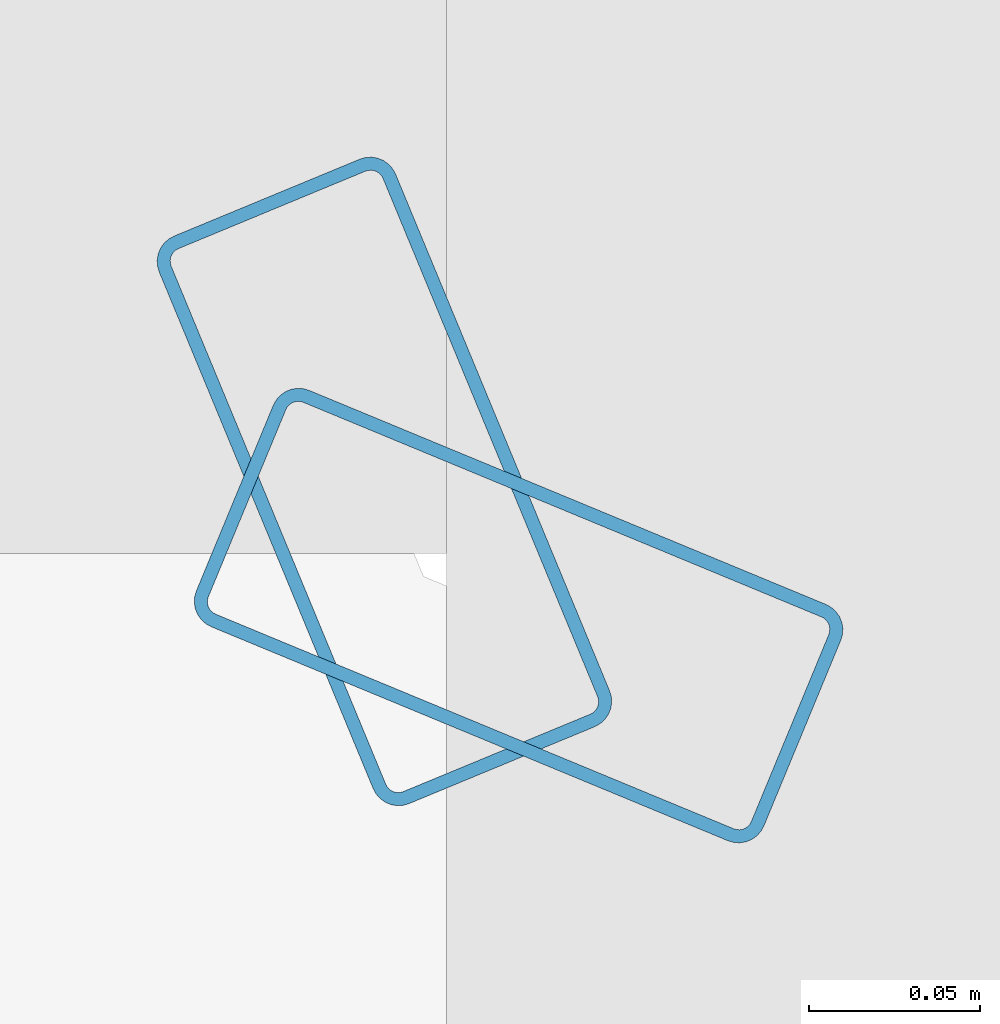
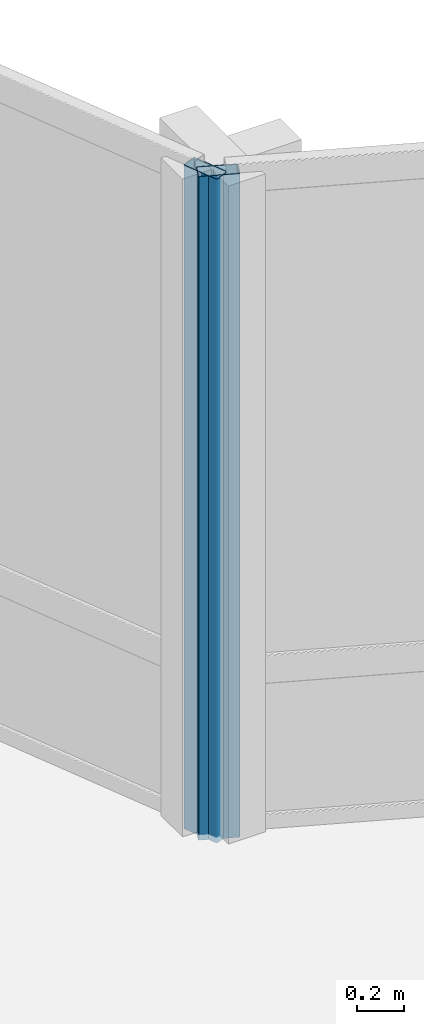
# One storey, part 8 of 34: 2 members, 2 elements without a shape of their own.
"""IFC4 building model written with IfcOpenShell, lengths in metres."""

from ifc_helpers import new_model, si_unit, direction, frame, origin, origin_2d, place, context, subcontext, project, spatial, hollow_rectangle, extrude, material, layer, layer_set, material_profile, profile_set, type_object, element, aggregate, save


model = new_model("IFC4")

# Units and contexts
model_context = context("Model", 3, precision=1e-05, world=origin(), true_north=direction((0.0, 1.0)))
body_context = subcontext(model_context, "Body", "Model", "MODEL_VIEW")
ifc_project = project(units=[si_unit("LENGTHUNIT", "METRE"), si_unit("AREAUNIT", "SQUARE_METRE"), si_unit("VOLUMEUNIT", "CUBIC_METRE"), si_unit("PLANEANGLEUNIT", "RADIAN"), si_unit("MASSUNIT", "GRAM", prefix="KILO")], contexts=[model_context])

# Site, building, storey
site_placement = place(None, origin())
site = spatial("IfcSite", under=ifc_project, at=site_placement, CompositionType="ELEMENT")
building_placement = place(site_placement, origin())
building = spatial("IfcBuilding", under=site, at=building_placement, Name="Solvaryn Broadcast Tower", CompositionType="ELEMENT")
storey_placement = place(building_placement, frame((0.0, 0.0, 65.60009765625)))
storey = spatial("IfcBuildingStorey", under=building, at=storey_placement, Name="L15", CompositionType="ELEMENT", Elevation=65.60009765625)

# Curtain wall, member
ifc_material_1 = material(Name="Aluminium and Terracotta Unitised Curtain Wall", Category="masonry")
ifc_layer = layer(ifc_material_1, 0.199951171875)
ifc_layer_set = layer_set([ifc_layer], Name="CW-SYS2-LOWMID")
curtain_wall_type = type_object("IfcCurtainWallType", Name="CW-SYS2-LOWMID", PredefinedType="NOTDEFINED", material=ifc_layer_set)
curtain_wall_1_placement = place(storey_placement, origin())
curtain_wall_1 = element("IfcCurtainWall", 1, at=curtain_wall_1_placement, inside=storey, type_object=curtain_wall_type, Name="L15 Curtain Wall CN1", PredefinedType="NOTDEFINED")
ifc_material_2 = material(Name="Anodised Aluminium 6063-T6", Category="aluminium")
ifc_material_profile = material_profile(ifc_material_2, hollow_rectangle(XDim=0.074951171875, YDim=0.179931640625, WallThickness=0.00390625, InnerFilletRadius=0.00390625, OuterFilletRadius=0.008056640625, at=origin_2d()))
ifc_profile_set = profile_set([ifc_material_profile], Name="Anodised Aluminium 6063-T6")
member_type = type_object("IfcMemberType", Name="CW-MUL-180", PredefinedType="MULLION", material=ifc_profile_set)
member_1_placement = place(storey_placement, frame((30.395751953125, 30.3564453125, 0.0), z_axis=(0.0, 0.0, 1.0), x_axis=(-0.382646127145, -0.923894983957, 0.0)))
member_1 = element("IfcMember", 2, at=member_1_placement, type_object=member_type, Name="CWS2 mullion 2", PredefinedType="MULLION", context=body_context, shape_type="SweptSolid", body=[
    extrude(hollow_rectangle(XDim=0.074951171875, YDim=0.179931640625, WallThickness=0.00390625, InnerFilletRadius=0.00390625, OuterFilletRadius=0.008056640625, at=origin_2d()), origin(), (0.0, 0.0, 1.0), 3.419921875),
])
aggregate(curtain_wall_1, [member_1])

curtain_wall_2_placement = place(storey_placement, origin())
curtain_wall_2 = element("IfcCurtainWall", 3, at=curtain_wall_2_placement, inside=storey, type_object=curtain_wall_type, Name="L15 Curtain Wall CN2", PredefinedType="NOTDEFINED")
member_2_placement = place(storey_placement, frame((30.3564453125, 30.395751953125, 0.0), z_axis=(0.0, 0.0, 1.0), x_axis=(-0.923894983957, -0.382646127145, 0.0)))
member_2 = element("IfcMember", 4, at=member_2_placement, type_object=member_type, Name="CWS2 mullion 1", PredefinedType="MULLION", context=body_context, shape_type="SweptSolid", body=[
    extrude(hollow_rectangle(XDim=0.074951171875, YDim=0.179931640625, WallThickness=0.00390625, InnerFilletRadius=0.00390625, OuterFilletRadius=0.008056640625, at=origin_2d()), origin(), (0.0, 0.0, 1.0), 3.419921875),
])
aggregate(curtain_wall_2, [member_2])

save(model, "model.ifc")
